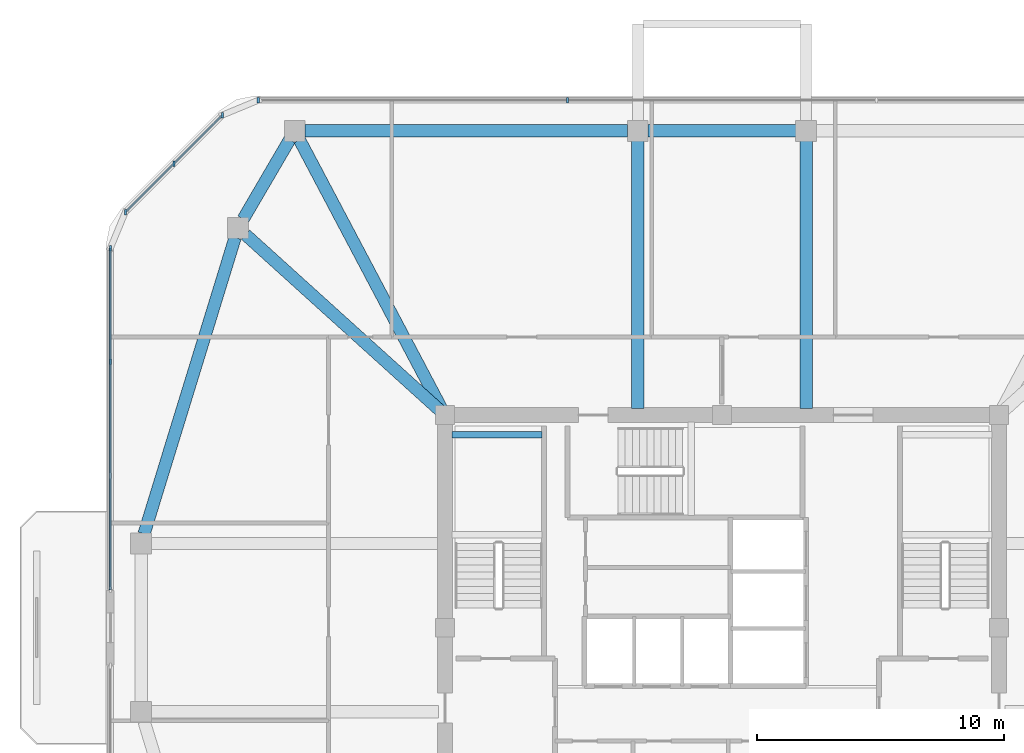
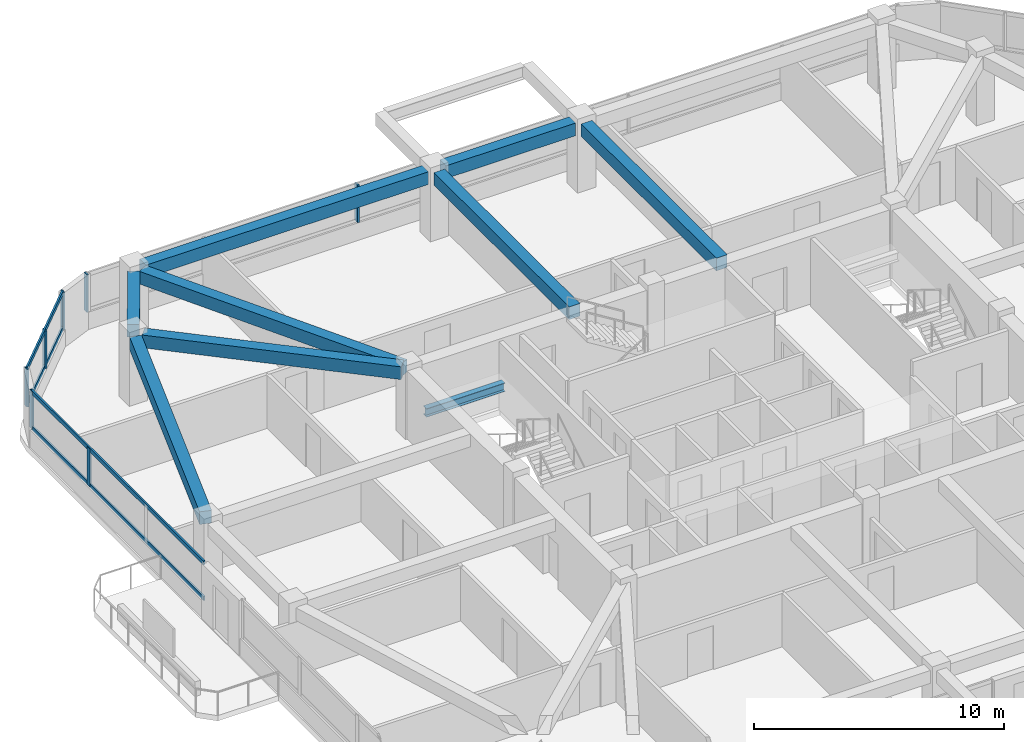
# One storey, part 4 of 13: 11 members, 9 beams, 3 elements without a shape of their own.
"""IFC4 building model written with IfcOpenShell, lengths in metres."""

from ifc_helpers import new_model, si_unit, derived_unit, direction, frame, origin, origin_2d, place, context, subcontext, project, spatial, rectangle, i_section, extrude, material, material_profile, profile_set, type_object, element, aggregate, save


model = new_model("IFC4")

# Units and contexts
model_context = context("Model", 3, precision=1e-05, world=origin(), true_north=direction((0.0, 1.0)))
body_context = subcontext(model_context, "Body", "Model", "MODEL_VIEW")
ifc_project = project(units=[si_unit("LENGTHUNIT", "METRE"), si_unit("AREAUNIT", "SQUARE_METRE"), si_unit("VOLUMEUNIT", "CUBIC_METRE"), si_unit("PLANEANGLEUNIT", "RADIAN"), si_unit("MASSUNIT", "GRAM", prefix="KILO"), derived_unit("THERMALTRANSMITTANCEUNIT", [(si_unit("POWERUNIT", "WATT"), 1), (si_unit("LENGTHUNIT", "METRE"), -2), (si_unit("THERMODYNAMICTEMPERATUREUNIT", "KELVIN"), -1)])], contexts=[model_context])

# Site, building, storey
site_placement = place(None, origin())
site = spatial("IfcSite", under=ifc_project, at=site_placement, CompositionType="ELEMENT")
building_placement = place(site_placement, origin())
building = spatial("IfcBuilding", under=site, at=building_placement, Name="Koralith Skygarden Medical Center", CompositionType="ELEMENT")
storey_placement = place(building_placement, frame((0.0, 0.0, 264.419921875)))
storey = spatial("IfcBuildingStorey", under=building, at=storey_placement, Name="L68", CompositionType="ELEMENT", Elevation=264.419921875)

# Curtain wall, members
ifc_material_1 = material(Name="Clear Laminated Glass", Category="glass")
curtain_wall_type = type_object("IfcCurtainWallType", Name="CW-6 Zone 5 Upper Clinical Curtain Wall", PredefinedType="NOTDEFINED", material=ifc_material_1)
curtain_wall_1_placement = place(storey_placement, origin())
curtain_wall_1 = element("IfcCurtainWall", 1, at=curtain_wall_1_placement, inside=storey, type_object=curtain_wall_type, Name="Curtain Wall CW-L68-N", PredefinedType="NOTDEFINED")
ifc_material_2 = material(Name="Aluminium 6063-T6", Category="aluminium")
ifc_material_profile_1 = material_profile(ifc_material_2, rectangle(XDim=0.0830078125, YDim=0.219970703125, at=origin_2d()), Name="MUL83X220")
ifc_profile_set_1 = profile_set([ifc_material_profile_1], Name="Aluminium 6063-T6")
member_type_1 = type_object("IfcMemberType", Name="CW-6 Extruded Mullion 83x220", PredefinedType="MULLION", material=ifc_profile_set_1)
member_1_placement = place(storey_placement, frame((30.751953125, 47.219970703125, 0.85009765625), z_axis=(0.0, 0.0, 1.0), x_axis=(1.0, 0.0, 0.0)))
member_1 = element("IfcMember", 2, at=member_1_placement, type_object=member_type_1, Name="CW-L68-N Mullion 3", PredefinedType="MULLION", context=body_context, shape_type="SweptSolid", body=[
    extrude(rectangle(XDim=0.0830078125, YDim=0.219970703125, at=origin_2d()), origin(), (0.0, 0.0, 1.0), 1.840087890625),
])
member_2_placement = place(storey_placement, frame((18.2548828125, 47.219970703125, 0.85009765625), z_axis=(0.0, 0.0, 1.0), x_axis=(1.0, 0.0, 0.0)))
member_2 = element("IfcMember", 3, at=member_2_placement, type_object=member_type_1, Name="CW-L68-N Mullion 4", PredefinedType="MULLION", context=body_context, shape_type="SweptSolid", body=[
    extrude(rectangle(XDim=0.0830078125, YDim=0.219970703125, at=origin_2d()), origin(), (0.0, 0.0, 1.0), 1.840087890625),
])
aggregate(curtain_wall_1, [member_1, member_2])

curtain_wall_2_placement = place(storey_placement, origin())
curtain_wall_2 = element("IfcCurtainWall", 4, at=curtain_wall_2_placement, inside=storey, type_object=curtain_wall_type, Name="Curtain Wall CW-L68-NW", PredefinedType="NOTDEFINED")
member_3_placement = place(storey_placement, frame((16.803955078125, 46.618896484375, 0.85009765625), z_axis=(0.0, 0.0, 1.0), x_axis=(1.0, 0.0, 0.0)))
member_3 = element("IfcMember", 5, at=member_3_placement, type_object=member_type_1, Name="CW-L68-NW Mullion 1", PredefinedType="MULLION", context=body_context, shape_type="SweptSolid", body=[
    extrude(rectangle(XDim=0.0830078125, YDim=0.219970703125, at=origin_2d()), origin(), (0.0, 0.0, 1.0), 1.840087890625),
])
member_4_placement = place(storey_placement, frame((14.842041015625, 44.656982421875, 0.85009765625), z_axis=(0.0, 0.0, 1.0), x_axis=(1.0, 0.0, 0.0)))
member_4 = element("IfcMember", 6, at=member_4_placement, type_object=member_type_1, Name="CW-L68-NW Mullion 2", PredefinedType="MULLION", context=body_context, shape_type="SweptSolid", body=[
    extrude(rectangle(XDim=0.0830078125, YDim=0.219970703125, at=origin_2d()), origin(), (0.0, 0.0, 1.0), 1.840087890625),
])
member_5_placement = place(storey_placement, frame((12.881103515625, 42.696044921875, 0.85009765625), z_axis=(0.0, 0.0, 1.0), x_axis=(1.0, 0.0, 0.0)))
member_5 = element("IfcMember", 7, at=member_5_placement, type_object=member_type_1, Name="CW-L68-NW Mullion 3", PredefinedType="MULLION", context=body_context, shape_type="SweptSolid", body=[
    extrude(rectangle(XDim=0.0830078125, YDim=0.219970703125, at=origin_2d()), origin(), (0.0, 0.0, 1.0), 1.840087890625),
])

curtain_wall_3_placement = place(storey_placement, origin())
curtain_wall_3 = element("IfcCurtainWall", 8, at=curtain_wall_3_placement, inside=storey, type_object=curtain_wall_type, Name="Curtain Wall CW-L68-W-L", PredefinedType="NOTDEFINED")
member_6_placement = place(storey_placement, frame((12.280029296875, 41.2451171875, 0.85009765625), z_axis=(0.0, 0.0, 1.0), x_axis=(1.0, 0.0, 0.0)))
member_6 = element("IfcMember", 9, at=member_6_placement, type_object=member_type_1, Name="CW-L68-W-L Mullion 1", PredefinedType="MULLION", context=body_context, shape_type="SweptSolid", body=[
    extrude(rectangle(XDim=0.0830078125, YDim=0.219970703125, at=origin_2d()), origin(), (0.0, 0.0, 1.0), 1.840087890625),
])
member_7_placement = place(storey_placement, frame((12.280029296875, 36.64306640625, 0.85009765625), z_axis=(0.0, 0.0, 1.0), x_axis=(1.0, 0.0, 0.0)))
member_7 = element("IfcMember", 10, at=member_7_placement, type_object=member_type_1, Name="CW-L68-W-L Mullion 2", PredefinedType="MULLION", context=body_context, shape_type="SweptSolid", body=[
    extrude(rectangle(XDim=0.0830078125, YDim=0.219970703125, at=origin_2d()), origin(), (0.0, 0.0, 1.0), 1.840087890625),
])

# Member
ifc_material_profile_2 = material_profile(ifc_material_2, rectangle(XDim=0.077880859375, YDim=0.197998046875, at=origin_2d()), Name="TRN78X198")
ifc_profile_set_2 = profile_set([ifc_material_profile_2], Name="Aluminium 6063-T6")
member_type_2 = type_object("IfcMemberType", Name="CW-6 Thermal Transom 78x198", PredefinedType="USERDEFINED", material=ifc_profile_set_2)
member_8_placement = place(storey_placement, frame((16.803955078125, 46.618896484375, 0.900146484375), z_axis=(-0.707106781187, -0.707106781187, 0.0), x_axis=(0.707106781187, -0.707106781187, 0.0)))
member_8 = element("IfcMember", 11, at=member_8_placement, type_object=member_type_2, Name="CW-L68-NW Transom 1", ObjectType="TRANSOM", PredefinedType="USERDEFINED", context=body_context, shape_type="SweptSolid", body=[
    extrude(rectangle(XDim=0.077880859375, YDim=0.197998046875, at=origin_2d()), origin(), (0.0, 0.0, 1.0), 5.5478515625),
])

member_9_placement = place(storey_placement, frame((16.803955078125, 46.618896484375, 2.64013671875), z_axis=(-0.707106781187, -0.707106781187, 0.0), x_axis=(0.707106781187, -0.707106781187, 0.0)))
member_9 = element("IfcMember", 12, at=member_9_placement, type_object=member_type_2, Name="CW-L68-NW Transom 2", ObjectType="TRANSOM", PredefinedType="USERDEFINED", context=body_context, shape_type="SweptSolid", body=[
    extrude(rectangle(XDim=0.077880859375, YDim=0.197998046875, at=origin_2d()), origin(), (0.0, 0.0, 1.0), 5.5478515625),
])

aggregate(curtain_wall_2, [member_3, member_4, member_5, member_8, member_9])

member_10_placement = place(storey_placement, frame((12.280029296875, 41.2451171875, 0.900146484375), z_axis=(0.0, -1.0, 0.0), x_axis=(1.0, 0.0, 0.0)))
member_10 = element("IfcMember", 13, at=member_10_placement, type_object=member_type_2, Name="CW-L68-W-L Transom 1", ObjectType="TRANSOM", PredefinedType="USERDEFINED", context=body_context, shape_type="SweptSolid", body=[
    extrude(rectangle(XDim=0.077880859375, YDim=0.197998046875, at=origin_2d()), origin(), (0.0, 0.0, 1.0), 13.80517578125),
])

member_11_placement = place(storey_placement, frame((12.280029296875, 41.2451171875, 2.64013671875), z_axis=(0.0, -1.0, 0.0), x_axis=(1.0, 0.0, 0.0)))
member_11 = element("IfcMember", 14, at=member_11_placement, type_object=member_type_2, Name="CW-L68-W-L Transom 2", ObjectType="TRANSOM", PredefinedType="USERDEFINED", context=body_context, shape_type="SweptSolid", body=[
    extrude(rectangle(XDim=0.077880859375, YDim=0.197998046875, at=origin_2d()), origin(), (0.0, 0.0, 1.0), 13.80517578125),
])

aggregate(curtain_wall_3, [member_6, member_7, member_10, member_11])

# Beams
ifc_material_3 = material(Name="Steel ASTM A992 Grade 50", Category="steel")
ifc_material_profile_3 = material_profile(ifc_material_3, i_section(OverallWidth=0.260009765625, OverallDepth=0.4150390625, WebThickness=0.010009765625, FlangeThickness=0.016845703125, at=origin_2d()), Name="W16X67")
ifc_profile_set_3 = profile_set([ifc_material_profile_3], Name="Steel ASTM A992 Grade 50")
beam_type_1 = type_object("IfcBeamType", Name="Clinical Floor Joist W16X67", PredefinedType="JOIST", material=ifc_profile_set_3)
beam_1_placement = place(storey_placement, frame((26.080078125, 33.699951171875, 1.39306640625), z_axis=(1.0, 0.0, 0.0), x_axis=(0.0, 1.0, 0.0)))
element("IfcBeam", 15, at=beam_1_placement, inside=storey, type_object=beam_type_1, Name="L68 Stair ST1 Half-Landing Support Beam 1B", PredefinedType="JOIST", context=body_context, shape_type="SweptSolid", body=[
    extrude(i_section(OverallWidth=0.260009765625, OverallDepth=0.4150390625, WebThickness=0.010009765625, FlangeThickness=0.016845703125, at=origin_2d()), origin(), (0.0, 0.0, 1.0), 3.639892578125),
])
ifc_material_4 = material(Name="Concrete C45/55", Category="concrete")
ifc_material_profile_4 = material_profile(ifc_material_4, rectangle(XDim=0.5, YDim=0.6201171875, at=origin_2d()), Name="RCB500X620")
ifc_profile_set_4 = profile_set([ifc_material_profile_4], Name="Concrete C45/55")
beam_type_2 = type_object("IfcBeamType", Name="Upper Radial Collector Beam RCB500X620", PredefinedType="BEAM", material=ifc_profile_set_4)
for number, where, z_axis, x_axis, name in (
    (16, (40.39990234375, 34.75, 3.010009765625), (0.0, 1.0, 0.0), (-1.0, 0.0, 0.0), "L68 Radial Collector Beam RB-12"),
    (17, (33.60009765625, 34.75, 3.010009765625), (0.0, 1.0, 0.0), (-1.0, 0.0, 0.0), "L68 Radial Collector Beam RB-13"),
):
    element("IfcBeam", number, at=place(storey_placement, frame(where, z_axis=z_axis, x_axis=x_axis)), inside=storey, type_object=beam_type_2, Name=name, PredefinedType="BEAM", context=body_context, shape_type="SweptSolid", body=[
        extrude(rectangle(XDim=0.5, YDim=0.6201171875, at=origin_2d()), origin(), (0.0, 0.0, 1.0), 10.820068359375),
    ])
beam_2_placement = place(storey_placement, frame((25.68310546875, 34.720947265625, 3.010009765625), z_axis=(-0.467256895772, 0.884121594213, 0.0), x_axis=(-0.884121594213, -0.467256895772, 0.0)))
element("IfcBeam", 18, at=beam_2_placement, inside=storey, type_object=beam_type_2, Name="L68 Radial Collector Beam RB-14", PredefinedType="BEAM", context=body_context, shape_type="SweptSolid", body=[
    extrude(rectangle(XDim=0.5, YDim=0.6201171875, at=origin_2d()), origin(), (0.0, 0.0, 1.0), 12.3251953125),
])
beam_3_placement = place(storey_placement, frame((25.614990234375, 34.66796875, 3.010009765625), z_axis=(-0.741747768548, 0.670678945438, 0.0), x_axis=(-0.670678945438, -0.741747768548, 0.0)))
element("IfcBeam", 19, at=beam_3_placement, inside=storey, type_object=beam_type_2, Name="L68 Radial Collector Beam RB-15", PredefinedType="BEAM", context=body_context, shape_type="SweptSolid", body=[
    extrude(rectangle(XDim=0.5, YDim=0.6201171875, at=origin_2d()), origin(), (0.0, 0.0, 1.0), 10.611572265625),
])
ifc_material_profile_5 = material_profile(ifc_material_4, rectangle(XDim=0.5, YDim=0.6201171875, at=origin_2d()), Name="RCB500X620")
ifc_profile_set_5 = profile_set([ifc_material_profile_5], Name="Concrete C45/55")
beam_type_3 = type_object("IfcBeamType", Name="Zone 4-5 Spandrel Beam RCB500X620", PredefinedType="SPANDREL", material=ifc_profile_set_5)
beam_4_placement = place(storey_placement, frame((39.989990234375, 45.97998046875, 3.010009765625), z_axis=(-1.0, 0.0, 0.0), x_axis=(0.0, -1.0, 0.0)))
element("IfcBeam", 20, at=beam_4_placement, inside=storey, type_object=beam_type_3, Name="L68 Perimeter Spandrel Beam SP-12", PredefinedType="SPANDREL", context=body_context, shape_type="SweptSolid", body=[
    extrude(rectangle(XDim=0.5, YDim=0.6201171875, at=origin_2d()), origin(), (0.0, 0.0, 1.0), 5.97998046875),
])
beam_5_placement = place(storey_placement, frame((33.18994140625, 45.97998046875, 3.010009765625), z_axis=(-1.0, 0.0, 0.0), x_axis=(0.0, -1.0, 0.0)))
element("IfcBeam", 21, at=beam_5_placement, inside=storey, type_object=beam_type_3, Name="L68 Perimeter Spandrel Beam SP-13", PredefinedType="SPANDREL", context=body_context, shape_type="SweptSolid", body=[
    extrude(rectangle(XDim=0.5, YDim=0.6201171875, at=origin_2d()), origin(), (0.0, 0.0, 1.0), 13.0478515625),
])
beam_6_placement = place(storey_placement, frame((19.52490234375, 45.6259765625, 3.010009765625), z_axis=(-0.50473571007, -0.863273921175, 0.0), x_axis=(0.863273921175, -0.50473571007, 0.0)))
element("IfcBeam", 22, at=beam_6_placement, inside=storey, type_object=beam_type_3, Name="L68 Perimeter Spandrel Beam SP-14", PredefinedType="SPANDREL", context=body_context, shape_type="SweptSolid", body=[
    extrude(rectangle(XDim=0.5, YDim=0.6201171875, at=origin_2d()), origin(), (0.0, 0.0, 1.0), 3.720703125),
])
beam_7_placement = place(storey_placement, frame((17.320068359375, 41.66796875, 3.010009765625), z_axis=(-0.293738023424, -0.955885962652, 0.0), x_axis=(0.955885962652, -0.293738023424, 0.0)))
element("IfcBeam", 23, at=beam_7_placement, inside=storey, type_object=beam_type_3, Name="L68 Perimeter Spandrel Beam SP-15", PredefinedType="SPANDREL", context=body_context, shape_type="SweptSolid", body=[
    extrude(rectangle(XDim=0.5, YDim=0.6201171875, at=origin_2d()), origin(), (0.0, 0.0, 1.0), 12.52880859375),
])

save(model, "model.ifc")
